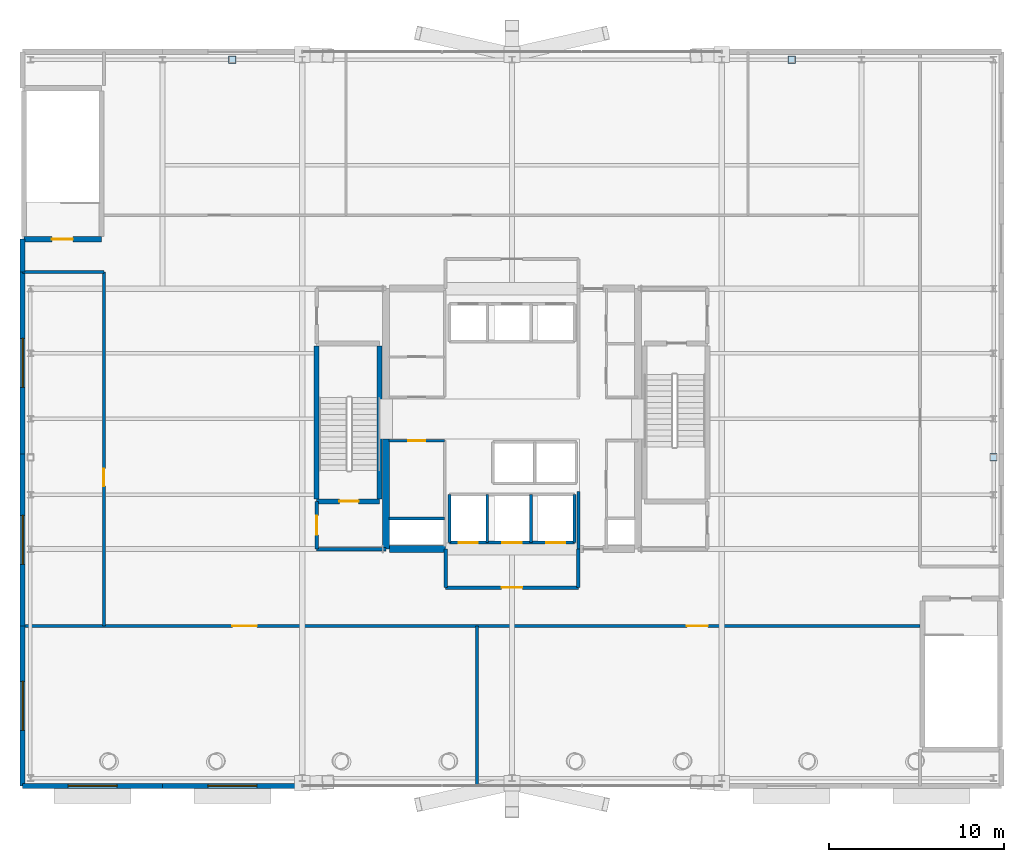
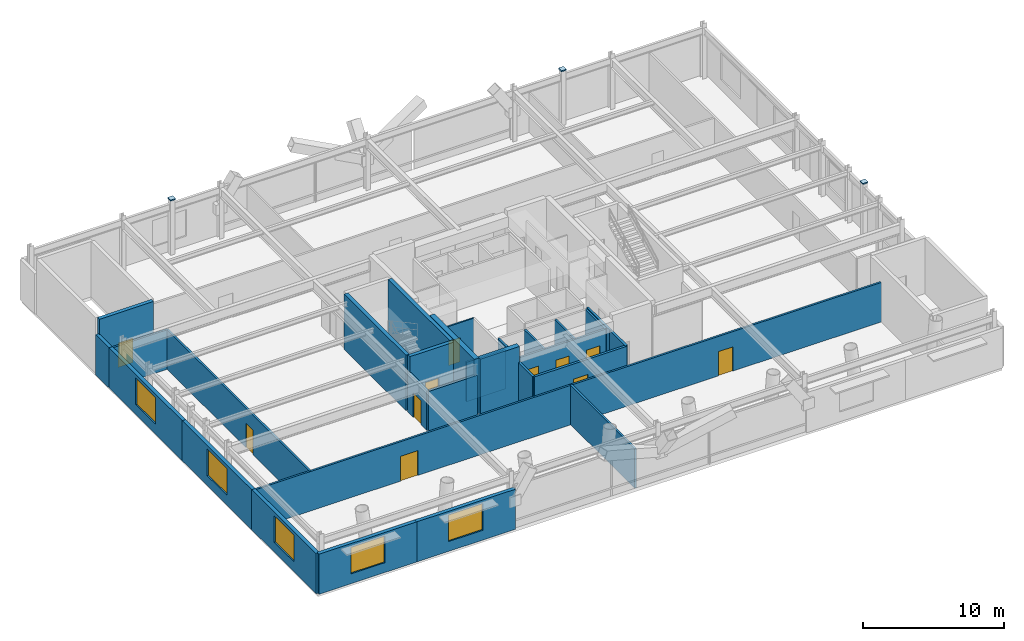
# One storey, part 15 of 21: 29 walls, 11 doors, 5 windows, 3 plates, 16 openings.
"""IFC4 building model written with IfcOpenShell, lengths in metres."""

from ifc_helpers import new_model, si_unit, direction, frame, frame_2d, origin, origin_2d, place, context, subcontext, project, spatial, rectangle, extrude, material, layer, layer_set, type_object, element, fill, save


model = new_model("IFC4")

# Units and contexts
model_context = context("Model", 3, precision=1e-05, world=origin(), true_north=direction((0.0, 1.0)))
body_context = subcontext(model_context, "Body", "Model", "MODEL_VIEW")
ifc_project = project(units=[si_unit("LENGTHUNIT", "METRE"), si_unit("AREAUNIT", "SQUARE_METRE"), si_unit("VOLUMEUNIT", "CUBIC_METRE"), si_unit("PLANEANGLEUNIT", "RADIAN"), si_unit("MASSUNIT", "GRAM", prefix="KILO")], contexts=[model_context])

# Site, building, storey
site_placement = place(None, origin())
site = spatial("IfcSite", under=ifc_project, at=site_placement, CompositionType="ELEMENT")
building_placement = place(site_placement, origin())
building = spatial("IfcBuilding", under=site, at=building_placement, Name="Veldorina Hangang Commons", CompositionType="ELEMENT")
storey_placement = place(building_placement, frame((0.0, 0.0, 19.60009765625)))
storey = spatial("IfcBuildingStorey", under=building, at=storey_placement, Name="L04", CompositionType="ELEMENT", Elevation=19.60009765625)

# Plates
ifc_material_1 = material(Name="Steel SM490-TMC", Category="steel")
ifc_layer_1 = layer(ifc_material_1, 0.044921875)
ifc_layer_set_1 = layer_set([ifc_layer_1], Name="Steel SM490-TMC")
plate_type = type_object("IfcPlateType", Name="PL-NODE-45", PredefinedType="SHEET", material=ifc_layer_set_1)
for number, where, z_axis, x_axis, name in (
    (1, (16.0, 44.550048828125, 4.7099609375), (0.0, 0.0, 1.0), (1.0, 0.0, 0.0), "L04 pilaster 1 cap plate"),
    (2, (48.0, 44.550048828125, 4.7099609375), (0.0, 0.0, 1.0), (1.0, 0.0, 0.0), "L04 pilaster 2 cap plate"),
    (3, (59.550048828125, 21.800048828125, 4.7099609375), (0.0, 0.0, 1.0), (1.0, 0.0, 0.0), "L04 pilaster 4 cap plate"),
):
    element("IfcPlate", number, at=place(storey_placement, frame(where, z_axis=z_axis, x_axis=x_axis)), inside=storey, type_object=plate_type, Name=name, PredefinedType="SHEET", context=body_context, shape_type="SweptSolid", body=[
        extrude(rectangle(XDim=0.419921875, YDim=0.419921875, at=origin_2d()), origin(), (0.0, 0.0, 1.0), 0.10009765625),
    ])

# Walls
ifc_material_2 = material(Name="Concrete C70/85", Category="concrete")
ifc_layer_2 = layer(ifc_material_2, 0.39990234375)
ifc_layer_set_2 = layer_set([ifc_layer_2], Name="Concrete C70/85")
wall_type_1 = type_object("IfcWallType", Name="CW-RC400-C70", PredefinedType="SHEAR", material=ifc_layer_set_2)
wall_1_placement = place(storey_placement, frame((24.800048828125, 16.550048828125, 0.0), z_axis=(0.0, 0.0, 1.0), x_axis=(0.0, 1.0, 0.0)))
element("IfcWall", 4, at=wall_1_placement, inside=storey, type_object=wall_type_1, Name="L04 W south core shear wall", PredefinedType="SHEAR", context=body_context, shape_type="SweptSolid", body=[
    extrude(rectangle(XDim=6.300048828125, YDim=0.39990234375, at=frame_2d((3.14990234375, 0.0))), origin(), (0.0, 0.0, 1.0), 4.7998046875),
])
wall_2_placement = place(storey_placement, frame((25.0, 16.550048828125, 0.0), z_axis=(0.0, 0.0, 1.0), x_axis=(1.0, 0.0, 0.0)))
element("IfcWall", 5, at=wall_2_placement, inside=storey, type_object=wall_type_1, Name="L04 south-west core shear wall", PredefinedType="SHEAR", context=body_context, shape_type="SweptSolid", body=[
    extrude(rectangle(XDim=3.199951171875, YDim=0.39990234375, at=frame_2d((1.60009765625, 0.0))), origin(), (0.0, 0.0, 1.0), 4.7998046875),
])

# Wall, opening, window
ifc_material_3 = material(Name="Stone Roman Travertine", Category="masonry")
ifc_layer_3 = layer(ifc_material_3, 0.300048828125)
ifc_layer_set_3 = layer_set([ifc_layer_3], Name="Stone Roman Travertine")
wall_type_2 = type_object("IfcWallType", Name="EW-TRAV-300", PredefinedType="STANDARD", material=ifc_layer_set_3)
wall_3_placement = place(storey_placement, frame((4.0, 3.0, 0.0), z_axis=(0.0, 0.0, 1.0), x_axis=(1.0, 0.0, 0.0)))
wall_3 = element("IfcWall", 6, at=wall_3_placement, inside=storey, type_object=wall_type_2, Name="L04 south podium stone wall S1", PredefinedType="STANDARD", context=body_context, shape_type="SweptSolid", body=[
    extrude(rectangle(XDim=8.0, YDim=0.300048828125, at=frame_2d((4.0, 0.0))), origin(), (0.0, 0.0, 1.0), 3.469970703125),
])
opening_1_placement = place(wall_3_placement, frame((2.60009765625, 0.0, 0.85009765625)))
opening_1 = element("IfcOpeningElement", 7, at=opening_1_placement, cuts=wall_3, Name="Opening W-06", PredefinedType="OPENING", context=body_context, shape_type="SweptSolid", body=[
    extrude(rectangle(XDim=2.800048828125, YDim=2.300048828125, at=frame_2d((1.39990234375, 1.14990234375))), frame((0.0, 0.16015625, 0.0), z_axis=(0.0, -1.0, 0.0), x_axis=(1.0, 0.0, 0.0)), (0.0, 0.0, 1.0), 0.320068359375),
])
ifc_material_4 = material(Name="Glass Acoustic Laminated", Category="glass")
window_type = type_object("IfcWindowType", Name="WIN-POD-2800", PartitioningType="SINGLE_PANEL", PredefinedType="WINDOW", material=ifc_material_4)
window_1_placement = place(opening_1_placement, origin())
window_1 = element("IfcWindow", 8, at=window_1_placement, inside=storey, type_object=window_type, Name="L04 south podium window S1", OverallHeight=2.300048828125, OverallWidth=2.800048828125, PartitioningType="SINGLE_PANEL", PredefinedType="WINDOW", context=body_context, shape_type="SweptSolid", body=[
    extrude(rectangle(XDim=2.800048828125, YDim=2.300048828125, at=frame_2d((1.39990234375, 1.14990234375))), frame((0.0, 0.030029296875, 0.0), z_axis=(0.0, -1.0, 0.0), x_axis=(1.0, 0.0, 0.0)), (0.0, 0.0, 1.0), 0.06005859375),
])
fill(opening_1, window_1)

wall_4_placement = place(storey_placement, frame((12.0, 3.0, 0.0), z_axis=(0.0, 0.0, 1.0), x_axis=(1.0, 0.0, 0.0)))
wall_4 = element("IfcWall", 9, at=wall_4_placement, inside=storey, type_object=wall_type_2, Name="L04 south podium stone wall S2", PredefinedType="STANDARD", context=body_context, shape_type="SweptSolid", body=[
    extrude(rectangle(XDim=8.094970703125, YDim=0.300048828125, at=frame_2d((4.04736328125, 0.0))), origin(), (0.0, 0.0, 1.0), 3.469970703125),
])
opening_2_placement = place(wall_4_placement, frame((2.60009765625, 0.0, 0.85009765625)))
opening_2 = element("IfcOpeningElement", 10, at=opening_2_placement, cuts=wall_4, Name="Opening W-06", PredefinedType="OPENING", context=body_context, shape_type="SweptSolid", body=[
    extrude(rectangle(XDim=2.800048828125, YDim=2.300048828125, at=frame_2d((1.39990234375, 1.14990234375))), frame((0.0, 0.16015625, 0.0), z_axis=(0.0, -1.0, 0.0), x_axis=(1.0, 0.0, 0.0)), (0.0, 0.0, 1.0), 0.320068359375),
])
window_2_placement = place(opening_2_placement, origin())
window_2 = element("IfcWindow", 11, at=window_2_placement, inside=storey, type_object=window_type, Name="L04 south podium window S2", OverallHeight=2.300048828125, OverallWidth=2.800048828125, PartitioningType="SINGLE_PANEL", PredefinedType="WINDOW", context=body_context, shape_type="SweptSolid", body=[
    extrude(rectangle(XDim=2.800048828125, YDim=2.300048828125, at=frame_2d((1.39990234375, 1.14990234375))), frame((0.0, 0.030029296875, 0.0), z_axis=(0.0, -1.0, 0.0), x_axis=(1.0, 0.0, 0.0)), (0.0, 0.0, 1.0), 0.06005859375),
])
fill(opening_2, window_2)

wall_5_placement = place(storey_placement, frame((4.0, 12.14990234375, 0.0), z_axis=(0.0, 0.0, 1.0), x_axis=(0.0, -1.0, 0.0)))
wall_5 = element("IfcWall", 12, at=wall_5_placement, inside=storey, type_object=wall_type_2, Name="L04 west podium stone wall W1", PredefinedType="STANDARD", context=body_context, shape_type="SweptSolid", body=[
    extrude(rectangle(XDim=9.14990234375, YDim=0.300048828125, at=frame_2d((4.574951171875, 0.0))), origin(), (0.0, 0.0, 1.0), 3.469970703125),
])
opening_3_placement = place(wall_5_placement, frame((3.175048828125, 0.0, 0.85009765625)))
opening_3 = element("IfcOpeningElement", 13, at=opening_3_placement, cuts=wall_5, Name="Opening W-06", PredefinedType="OPENING", context=body_context, shape_type="SweptSolid", body=[
    extrude(rectangle(XDim=2.800048828125, YDim=2.300048828125, at=frame_2d((1.39990234375, 1.14990234375))), frame((0.0, 0.16015625, 0.0), z_axis=(0.0, -1.0, 0.0), x_axis=(1.0, 0.0, 0.0)), (0.0, 0.0, 1.0), 0.320068359375),
])
window_3_placement = place(opening_3_placement, origin())
window_3 = element("IfcWindow", 14, at=window_3_placement, inside=storey, type_object=window_type, Name="L04 west podium window W1", OverallHeight=2.300048828125, OverallWidth=2.800048828125, PartitioningType="SINGLE_PANEL", PredefinedType="WINDOW", context=body_context, shape_type="SweptSolid", body=[
    extrude(rectangle(XDim=2.800048828125, YDim=2.300048828125, at=frame_2d((1.39990234375, 1.14990234375))), frame((0.0, 0.030029296875, 0.0), z_axis=(0.0, -1.0, 0.0), x_axis=(1.0, 0.0, 0.0)), (0.0, 0.0, 1.0), 0.06005859375),
])
fill(opening_3, window_3)

wall_6_placement = place(storey_placement, frame((4.0, 22.0, 0.0), z_axis=(0.0, 0.0, 1.0), x_axis=(0.0, -1.0, 0.0)))
wall_6 = element("IfcWall", 15, at=wall_6_placement, inside=storey, type_object=wall_type_2, Name="L04 west podium stone wall W2", PredefinedType="STANDARD", context=body_context, shape_type="SweptSolid", body=[
    extrude(rectangle(XDim=9.85009765625, YDim=0.300048828125, at=frame_2d((4.925048828125, 0.0))), origin(), (0.0, 0.0, 1.0), 3.469970703125),
])
opening_4_placement = place(wall_6_placement, frame((3.52490234375, 0.0, 0.85009765625)))
opening_4 = element("IfcOpeningElement", 16, at=opening_4_placement, cuts=wall_6, Name="Opening W-06", PredefinedType="OPENING", context=body_context, shape_type="SweptSolid", body=[
    extrude(rectangle(XDim=2.800048828125, YDim=2.300048828125, at=frame_2d((1.39990234375, 1.14990234375))), frame((0.0, 0.16015625, 0.0), z_axis=(0.0, -1.0, 0.0), x_axis=(1.0, 0.0, 0.0)), (0.0, 0.0, 1.0), 0.320068359375),
])
window_4_placement = place(opening_4_placement, origin())
window_4 = element("IfcWindow", 17, at=window_4_placement, inside=storey, type_object=window_type, Name="L04 west podium window W2", OverallHeight=2.300048828125, OverallWidth=2.800048828125, PartitioningType="SINGLE_PANEL", PredefinedType="WINDOW", context=body_context, shape_type="SweptSolid", body=[
    extrude(rectangle(XDim=2.800048828125, YDim=2.300048828125, at=frame_2d((1.39990234375, 1.14990234375))), frame((0.0, 0.030029296875, 0.0), z_axis=(0.0, -1.0, 0.0), x_axis=(1.0, 0.0, 0.0)), (0.0, 0.0, 1.0), 0.06005859375),
])
fill(opening_4, window_4)

wall_7_placement = place(storey_placement, frame((4.0, 32.39990234375, 0.0), z_axis=(0.0, 0.0, 1.0), x_axis=(0.0, -1.0, 0.0)))
wall_7 = element("IfcWall", 18, at=wall_7_placement, inside=storey, type_object=wall_type_2, Name="L04 west podium stone wall W3", PredefinedType="STANDARD", context=body_context, shape_type="SweptSolid", body=[
    extrude(rectangle(XDim=10.39990234375, YDim=0.300048828125, at=frame_2d((5.199951171875, 0.0))), origin(), (0.0, 0.0, 1.0), 3.469970703125),
])
opening_5_placement = place(wall_7_placement, frame((3.800048828125, 0.0, 0.85009765625)))
opening_5 = element("IfcOpeningElement", 19, at=opening_5_placement, cuts=wall_7, Name="Opening W-06", PredefinedType="OPENING", context=body_context, shape_type="SweptSolid", body=[
    extrude(rectangle(XDim=2.800048828125, YDim=2.300048828125, at=frame_2d((1.39990234375, 1.14990234375))), frame((0.0, 0.16015625, 0.0), z_axis=(0.0, -1.0, 0.0), x_axis=(1.0, 0.0, 0.0)), (0.0, 0.0, 1.0), 0.320068359375),
])
window_5_placement = place(opening_5_placement, origin())
window_5 = element("IfcWindow", 20, at=window_5_placement, inside=storey, type_object=window_type, Name="L04 west podium window W3", OverallHeight=2.300048828125, OverallWidth=2.800048828125, PartitioningType="SINGLE_PANEL", PredefinedType="WINDOW", context=body_context, shape_type="SweptSolid", body=[
    extrude(rectangle(XDim=2.800048828125, YDim=2.300048828125, at=frame_2d((1.39990234375, 1.14990234375))), frame((0.0, 0.030029296875, 0.0), z_axis=(0.0, -1.0, 0.0), x_axis=(1.0, 0.0, 0.0)), (0.0, 0.0, 1.0), 0.06005859375),
])
fill(opening_5, window_5)

# Walls
wall_8_placement = place(storey_placement, frame((4.0, 34.280029296875, 0.0), z_axis=(0.0, 0.0, 1.0), x_axis=(0.0, -1.0, 0.0)))
element("IfcWall", 21, at=wall_8_placement, inside=storey, type_object=wall_type_2, Name="L04 west podium stone wall W4", PredefinedType="STANDARD", context=body_context, shape_type="SweptSolid", body=[
    extrude(rectangle(XDim=1.880126953125, YDim=0.300048828125, at=frame_2d((0.93994140625, 0.0))), origin(), (0.0, 0.0, 1.0), 3.469970703125),
])
ifc_material_5 = material(Name="Concrete C50/60", Category="concrete")
ifc_layer_4 = layer(ifc_material_5, 0.300048828125)
ifc_layer_set_4 = layer_set([ifc_layer_4], Name="Concrete C50/60")
wall_type_3 = type_object("IfcWallType", Name="SW-STAIR-300", PredefinedType="SHEAR", material=ifc_layer_set_4)
for number, where, z_axis, x_axis, name in (
    (22, (20.820068359375, 19.429931640625, 0.0), (0.0, 0.0, 1.0), (0.0, 1.0, 0.0), "L04 ST1 outer stair shear wall"),
    (23, (24.419921875, 19.429931640625, 0.0), (0.0, 0.0, 1.0), (0.0, 1.0, 0.0), "L04 ST1 inner stair shear wall"),
):
    element("IfcWall", number, at=place(storey_placement, frame(where, z_axis=z_axis, x_axis=x_axis)), inside=storey, type_object=wall_type_3, Name=name, PredefinedType="SHEAR", context=body_context, shape_type="SweptSolid", body=[
        extrude(rectangle(XDim=8.739990234375, YDim=0.300048828125, at=frame_2d((4.3701171875, 0.0))), origin(), (0.0, 0.0, 1.0), 4.7998046875),
    ])

# Wall, opening, door
wall_9_placement = place(storey_placement, frame((20.820068359375, 19.280029296875, 0.0), z_axis=(0.0, 0.0, 1.0), x_axis=(1.0, 0.0, 0.0)))
wall_9 = element("IfcWall", 24, at=wall_9_placement, inside=storey, type_object=wall_type_3, Name="L04 ST1 south stair shear wall", PredefinedType="SHEAR", context=body_context, shape_type="SweptSolid", body=[
    extrude(rectangle(XDim=3.599853515625, YDim=0.300048828125, at=frame_2d((1.7998046875, 0.0))), origin(), (0.0, 0.0, 1.0), 4.7998046875),
])
opening_6_placement = place(wall_9_placement, frame((1.300048828125, 0.0, 0.0)))
opening_6 = element("IfcOpeningElement", 25, at=opening_6_placement, cuts=wall_9, Name="Opening D-08", PredefinedType="OPENING", context=body_context, shape_type="SweptSolid", body=[
    extrude(rectangle(XDim=1.10009765625, YDim=2.10009765625, at=frame_2d((0.550048828125, 1.050048828125))), frame((0.0, 0.16015625, 0.0), z_axis=(0.0, -1.0, 0.0), x_axis=(1.0, 0.0, 0.0)), (0.0, 0.0, 1.0), 0.320068359375),
])
ifc_material_6 = material(Name="Steel Fire-Rated Smoke Seal", Category="steel")
door_type_1 = type_object("IfcDoorType", Name="DR-FIRE-1100", OperationType="SINGLE_SWING_RIGHT", PredefinedType="DOOR", material=ifc_material_6)
door_1_placement = place(opening_6_placement, origin())
door_1 = element("IfcDoor", 26, at=door_1_placement, inside=storey, type_object=door_type_1, Name="L04 Special Escape Stair ST-1 door", OperationType="SINGLE_SWING_LEFT", OverallHeight=2.10009765625, OverallWidth=1.10009765625, PredefinedType="DOOR", context=body_context, shape_type="SweptSolid", body=[
    extrude(rectangle(XDim=1.10009765625, YDim=2.10009765625, at=frame_2d((0.550048828125, 1.050048828125))), frame((0.0, 0.02490234375, 0.0), z_axis=(0.0, -1.0, 0.0), x_axis=(1.0, 0.0, 0.0)), (0.0, 0.0, 1.0), 0.050048828125),
])
fill(opening_6, door_1)

wall_10_placement = place(storey_placement, frame((4.080078125, 34.280029296875, 0.0), z_axis=(0.0, 0.0, 1.0), x_axis=(1.0, 0.0, 0.0)))
wall_10 = element("IfcWall", 27, at=wall_10_placement, inside=storey, type_object=wall_type_3, Name="L04 STP1 S stair shear wall", PredefinedType="SHEAR", context=body_context, shape_type="SweptSolid", body=[
    extrude(rectangle(XDim=4.43994140625, YDim=0.300048828125, at=frame_2d((2.219970703125, 0.0))), origin(), (0.0, 0.0, 1.0), 4.7998046875),
])
opening_7_placement = place(wall_10_placement, frame((1.60009765625, 0.0, 0.0)))
opening_7 = element("IfcOpeningElement", 28, at=opening_7_placement, cuts=wall_10, Name="Opening D-09", PredefinedType="OPENING", context=body_context, shape_type="SweptSolid", body=[
    extrude(rectangle(XDim=1.199951171875, YDim=2.10009765625, at=frame_2d((0.60009765625, 1.050048828125))), frame((0.0, 0.16015625, 0.0), z_axis=(0.0, -1.0, 0.0), x_axis=(1.0, 0.0, 0.0)), (0.0, 0.0, 1.0), 0.320068359375),
])
ifc_material_7 = material(Name="Steel Fire-Rated Corridor Door", Category="steel")
door_type_2 = type_object("IfcDoorType", Name="DR-FIRE-1200", OperationType="SINGLE_SWING_LEFT", PredefinedType="DOOR", material=ifc_material_7)
door_2_placement = place(opening_7_placement, origin())
door_2 = element("IfcDoor", 29, at=door_2_placement, inside=storey, type_object=door_type_2, Name="L04 Podium Stair ST-P1 door", OperationType="SINGLE_SWING_LEFT", OverallHeight=2.10009765625, OverallWidth=1.199951171875, PredefinedType="DOOR", context=body_context, shape_type="SweptSolid", body=[
    extrude(rectangle(XDim=1.199951171875, YDim=2.10009765625, at=frame_2d((0.60009765625, 1.050048828125))), frame((0.0, 0.02490234375, 0.0), z_axis=(0.0, -1.0, 0.0), x_axis=(1.0, 0.0, 0.0)), (0.0, 0.0, 1.0), 0.050048828125),
])
fill(opening_7, door_2)

# Wall
ifc_material_8 = material(Name="Gypsum Fire-Rated Twin Stud Wall", Category="gypsum")
ifc_layer_5 = layer(ifc_material_8, 0.159912109375)
ifc_layer_set_5 = layer_set([ifc_layer_5], Name="Gypsum Fire-Rated Twin Stud Wall")
wall_type_4 = type_object("IfcWallType", Name="WL-FIRE-160", PredefinedType="SOLIDWALL", material=ifc_layer_set_5)
wall_11_placement = place(storey_placement, frame((35.800048828125, 16.550048828125, 0.0), z_axis=(0.0, 0.0, 1.0), x_axis=(0.0, 1.0, 0.0)))
element("IfcWall", 30, at=wall_11_placement, inside=storey, type_object=wall_type_4, Name="L04 Lift passage SW wall 009", PredefinedType="SOLIDWALL", context=body_context, shape_type="SweptSolid", body=[
    extrude(rectangle(XDim=3.300048828125, YDim=0.159912109375, at=frame_2d((1.64990234375, 0.0))), origin(), (0.0, 0.0, 1.0), 3.419921875),
])

# Wall, openings, doors
wall_12_placement = place(storey_placement, frame((28.419921875, 16.919921875, 0.0), z_axis=(0.0, 0.0, 1.0), x_axis=(1.0, 0.0, 0.0)))
wall_12 = element("IfcWall", 31, at=wall_12_placement, inside=storey, type_object=wall_type_4, Name="L04 Emergency front shaft wall 026", PredefinedType="SOLIDWALL", context=body_context, shape_type="SweptSolid", body=[
    extrude(rectangle(XDim=7.16015625, YDim=0.159912109375, at=frame_2d((3.580078125, 0.0))), origin(), (0.0, 0.0, 1.0), 3.419921875),
])
opening_8_placement = place(wall_12_placement, frame((0.530029296875, 0.0, 0.0)))
opening_8 = element("IfcOpeningElement", 32, at=opening_8_placement, cuts=wall_12, Name="Opening LD-03", PredefinedType="OPENING", context=body_context, shape_type="SweptSolid", body=[
    extrude(rectangle(XDim=1.10009765625, YDim=2.14990234375, at=frame_2d((0.550048828125, 1.074951171875))), frame((0.0, 0.08984375, 0.0), z_axis=(0.0, -1.0, 0.0), x_axis=(1.0, 0.0, 0.0)), (0.0, 0.0, 1.0), 0.179931640625),
])
opening_9_placement = place(wall_12_placement, frame((3.030029296875, 0.0, 0.0)))
opening_9 = element("IfcOpeningElement", 33, at=opening_9_placement, cuts=wall_12, Name="Opening LD-03", PredefinedType="OPENING", context=body_context, shape_type="SweptSolid", body=[
    extrude(rectangle(XDim=1.10009765625, YDim=2.14990234375, at=frame_2d((0.550048828125, 1.074951171875))), frame((0.0, 0.08984375, 0.0), z_axis=(0.0, -1.0, 0.0), x_axis=(1.0, 0.0, 0.0)), (0.0, 0.0, 1.0), 0.179931640625),
])
opening_10_placement = place(wall_12_placement, frame((5.530029296875, 0.0, 0.0)))
opening_10 = element("IfcOpeningElement", 34, at=opening_10_placement, cuts=wall_12, Name="Opening LD-03", PredefinedType="OPENING", context=body_context, shape_type="SweptSolid", body=[
    extrude(rectangle(XDim=1.10009765625, YDim=2.14990234375, at=frame_2d((0.550048828125, 1.074951171875))), frame((0.0, 0.08984375, 0.0), z_axis=(0.0, -1.0, 0.0), x_axis=(1.0, 0.0, 0.0)), (0.0, 0.0, 1.0), 0.179931640625),
])
ifc_material_9 = material(Name="Stainless Steel Firefighting Lift Door", Category="steel")
door_type_3 = type_object("IfcDoorType", Name="DR-LIFT-FF1100", OperationType="SLIDING_TO_RIGHT", PredefinedType="DOOR", material=ifc_material_9)
door_3_placement = place(opening_8_placement, origin())
door_3 = element("IfcDoor", 35, at=door_3_placement, inside=storey, type_object=door_type_3, Name="L04 Emergency lift FFL-1 landing door 009", OperationType="SLIDING_TO_RIGHT", OverallHeight=2.14990234375, OverallWidth=1.10009765625, PredefinedType="DOOR", context=body_context, shape_type="SweptSolid", body=[
    extrude(rectangle(XDim=1.10009765625, YDim=2.14990234375, at=frame_2d((0.550048828125, 1.074951171875))), frame((0.0, 0.02490234375, 0.0), z_axis=(0.0, -1.0, 0.0), x_axis=(1.0, 0.0, 0.0)), (0.0, 0.0, 1.0), 0.050048828125),
])
fill(opening_8, door_3)
door_4_placement = place(opening_9_placement, origin())
door_4 = element("IfcDoor", 36, at=door_4_placement, inside=storey, type_object=door_type_3, Name="L04 Emergency lift FFL-2 landing door 010", OperationType="SLIDING_TO_RIGHT", OverallHeight=2.14990234375, OverallWidth=1.10009765625, PredefinedType="DOOR", context=body_context, shape_type="SweptSolid", body=[
    extrude(rectangle(XDim=1.10009765625, YDim=2.14990234375, at=frame_2d((0.550048828125, 1.074951171875))), frame((0.0, 0.02490234375, 0.0), z_axis=(0.0, -1.0, 0.0), x_axis=(1.0, 0.0, 0.0)), (0.0, 0.0, 1.0), 0.050048828125),
])
fill(opening_9, door_4)
door_5_placement = place(opening_10_placement, origin())
door_5 = element("IfcDoor", 37, at=door_5_placement, inside=storey, type_object=door_type_3, Name="L04 Emergency lift EVL-1 landing door 011", OperationType="SLIDING_TO_RIGHT", OverallHeight=2.14990234375, OverallWidth=1.10009765625, PredefinedType="DOOR", context=body_context, shape_type="SweptSolid", body=[
    extrude(rectangle(XDim=1.10009765625, YDim=2.14990234375, at=frame_2d((0.550048828125, 1.074951171875))), frame((0.0, 0.02490234375, 0.0), z_axis=(0.0, -1.0, 0.0), x_axis=(1.0, 0.0, 0.0)), (0.0, 0.0, 1.0), 0.050048828125),
])
fill(opening_10, door_5)

# Walls
for number, where, z_axis, x_axis, name in (
    (38, (28.419921875, 16.919921875, 0.0), (0.0, 0.0, 1.0), (0.0, 1.0, 0.0), "L04 FFL-1 west shaft wall 028"),
    (39, (30.580078125, 16.919921875, 0.0), (0.0, 0.0, 1.0), (0.0, 1.0, 0.0), "L04 FFL-1 east shaft wall 029"),
    (40, (33.080078125, 16.919921875, 0.0), (0.0, 0.0, 1.0), (0.0, 1.0, 0.0), "L04 FFL-2 east shaft wall 030"),
    (41, (35.580078125, 16.919921875, 0.0), (0.0, 0.0, 1.0), (0.0, 1.0, 0.0), "L04 EVL-1 east shaft wall 031"),
):
    element("IfcWall", number, at=place(storey_placement, frame(where, z_axis=z_axis, x_axis=x_axis)), inside=storey, type_object=wall_type_4, Name=name, PredefinedType="SOLIDWALL", context=body_context, shape_type="SweptSolid", body=[
        extrude(rectangle(XDim=2.760009765625, YDim=0.159912109375, at=frame_2d((1.3798828125, 0.0))), origin(), (0.0, 0.0, 1.0), 3.419921875),
    ])
wall_13_placement = place(storey_placement, frame((24.949951171875, 18.300048828125, 0.0), z_axis=(0.0, 0.0, 1.0), x_axis=(1.0, 0.0, 0.0)))
element("IfcWall", 42, at=wall_13_placement, inside=storey, type_object=wall_type_4, Name="L04 Electrical riser wall 035", PredefinedType="SOLIDWALL", context=body_context, shape_type="SweptSolid", body=[
    extrude(rectangle(XDim=3.199951171875, YDim=0.159912109375, at=frame_2d((1.60009765625, 0.0))), origin(), (0.0, 0.0, 1.0), 3.419921875),
])

# Wall, openings, doors
wall_14_placement = place(storey_placement, frame((4.0, 12.14990234375, 0.0), z_axis=(0.0, 0.0, 1.0), x_axis=(1.0, 0.0, 0.0)))
wall_14 = element("IfcWall", 43, at=wall_14_placement, inside=storey, type_object=wall_type_4, Name="L04 L04 gallery south wall 048", PredefinedType="SOLIDWALL", context=body_context, shape_type="SweptSolid", body=[
    extrude(rectangle(XDim=51.35009765625, YDim=0.159912109375, at=frame_2d((25.675048828125, 0.0))), origin(), (0.0, 0.0, 1.0), 3.419921875),
])
opening_11_placement = place(wall_14_placement, frame((12.0, 0.0, 0.0)))
opening_11 = element("IfcOpeningElement", 44, at=opening_11_placement, cuts=wall_14, Name="Opening D-11", PredefinedType="OPENING", context=body_context, shape_type="SweptSolid", body=[
    extrude(rectangle(XDim=1.39990234375, YDim=2.14990234375, at=frame_2d((0.699951171875, 1.074951171875))), frame((0.0, 0.08984375, 0.0), z_axis=(0.0, -1.0, 0.0), x_axis=(1.0, 0.0, 0.0)), (0.0, 0.0, 1.0), 0.179931640625),
])
opening_12_placement = place(wall_14_placement, frame((38.0, 0.0, 0.0)))
opening_12 = element("IfcOpeningElement", 45, at=opening_12_placement, cuts=wall_14, Name="Opening D-09", PredefinedType="OPENING", context=body_context, shape_type="SweptSolid", body=[
    extrude(rectangle(XDim=1.199951171875, YDim=2.10009765625, at=frame_2d((0.60009765625, 1.050048828125))), frame((0.0, 0.08984375, 0.0), z_axis=(0.0, -1.0, 0.0), x_axis=(1.0, 0.0, 0.0)), (0.0, 0.0, 1.0), 0.179931640625),
])
door_6_placement = place(opening_12_placement, origin())
door_6 = element("IfcDoor", 46, at=door_6_placement, inside=storey, type_object=door_type_2, Name="L04 Book stacks door 020", OperationType="SINGLE_SWING_RIGHT", OverallHeight=2.10009765625, OverallWidth=1.199951171875, PredefinedType="DOOR", context=body_context, shape_type="SweptSolid", body=[
    extrude(rectangle(XDim=1.199951171875, YDim=2.10009765625, at=frame_2d((0.60009765625, 1.050048828125))), frame((0.0, 0.02490234375, 0.0), z_axis=(0.0, -1.0, 0.0), x_axis=(1.0, 0.0, 0.0)), (0.0, 0.0, 1.0), 0.050048828125),
])
fill(opening_12, door_6)
ifc_material_10 = material(Name="Steel Glazed Fire Assembly Door", Category="steel")
door_type_4 = type_object("IfcDoorType", Name="DR-FIRE-1400", OperationType="DOUBLE_SWING_LEFT", PredefinedType="DOOR", material=ifc_material_10)
door_7_placement = place(opening_11_placement, origin())
door_7 = element("IfcDoor", 47, at=door_7_placement, inside=storey, type_object=door_type_4, Name="L04 Library reading hall door 019", OperationType="SINGLE_SWING_LEFT", OverallHeight=2.14990234375, OverallWidth=1.39990234375, PredefinedType="DOOR", context=body_context, shape_type="SweptSolid", body=[
    extrude(rectangle(XDim=1.39990234375, YDim=2.14990234375, at=frame_2d((0.699951171875, 1.074951171875))), frame((0.0, 0.02490234375, 0.0), z_axis=(0.0, -1.0, 0.0), x_axis=(1.0, 0.0, 0.0)), (0.0, 0.0, 1.0), 0.050048828125),
])
fill(opening_11, door_7)

# Wall, opening, door
wall_15_placement = place(storey_placement, frame((8.64990234375, 12.14990234375, 0.0), z_axis=(0.0, 0.0, 1.0), x_axis=(0.0, 1.0, 0.0)))
wall_15 = element("IfcWall", 48, at=wall_15_placement, inside=storey, type_object=wall_type_4, Name="L04 L04 gallery west wall 049", PredefinedType="SOLIDWALL", context=body_context, shape_type="SweptSolid", body=[
    extrude(rectangle(XDim=20.25, YDim=0.159912109375, at=frame_2d((10.125, 0.0))), origin(), (0.0, 0.0, 1.0), 3.419921875),
])
opening_13_placement = place(wall_15_placement, frame((8.0, 0.0, 0.0)))
opening_13 = element("IfcOpeningElement", 49, at=opening_13_placement, cuts=wall_15, Name="Opening D-05", PredefinedType="OPENING", context=body_context, shape_type="SweptSolid", body=[
    extrude(rectangle(XDim=1.0, YDim=2.10009765625, at=frame_2d((0.5, 1.050048828125))), frame((0.0, 0.08984375, 0.0), z_axis=(0.0, -1.0, 0.0), x_axis=(1.0, 0.0, 0.0)), (0.0, 0.0, 1.0), 0.179931640625),
])
ifc_material_11 = material(Name="Timber Solid Core Acoustic", Category="wood")
door_type_5 = type_object("IfcDoorType", Name="DR-INT-1000", OperationType="SINGLE_SWING_RIGHT", PredefinedType="DOOR", material=ifc_material_11)
door_8_placement = place(opening_13_placement, origin())
door_8 = element("IfcDoor", 50, at=door_8_placement, inside=storey, type_object=door_type_5, Name="L04 West study suite door 024", OperationType="SINGLE_SWING_RIGHT", OverallHeight=2.10009765625, OverallWidth=1.0, PredefinedType="DOOR", context=body_context, shape_type="SweptSolid", body=[
    extrude(rectangle(XDim=1.0, YDim=2.10009765625, at=frame_2d((0.5, 1.050048828125))), frame((0.0, 0.02490234375, 0.0), z_axis=(0.0, -1.0, 0.0), x_axis=(1.0, 0.0, 0.0)), (0.0, 0.0, 1.0), 0.050048828125),
])
fill(opening_13, door_8)

# Walls
wall_16_placement = place(storey_placement, frame((4.0, 32.39990234375, 0.0), z_axis=(0.0, 0.0, 1.0), x_axis=(1.0, 0.0, 0.0)))
element("IfcWall", 51, at=wall_16_placement, inside=storey, type_object=wall_type_4, Name="L04 L04 west room north wall 050", PredefinedType="SOLIDWALL", context=body_context, shape_type="SweptSolid", body=[
    extrude(rectangle(XDim=4.64990234375, YDim=0.159912109375, at=frame_2d((2.324951171875, 0.0))), origin(), (0.0, 0.0, 1.0), 3.419921875),
])
wall_17_placement = place(storey_placement, frame((30.0, 3.0, 0.0), z_axis=(0.0, 0.0, 1.0), x_axis=(0.0, 1.0, 0.0)))
element("IfcWall", 52, at=wall_17_placement, inside=storey, type_object=wall_type_4, Name="L04 Library-stacks wall 054", PredefinedType="SOLIDWALL", context=body_context, shape_type="SweptSolid", body=[
    extrude(rectangle(XDim=9.14990234375, YDim=0.159912109375, at=frame_2d((4.574951171875, 0.0))), origin(), (0.0, 0.0, 1.0), 3.419921875),
])

# Wall, opening, door
ifc_material_12 = material(Name="Concrete Blockwork Fire Wall C30/37", Category="masonry")
ifc_layer_6 = layer(ifc_material_12, 0.199951171875)
ifc_layer_set_6 = layer_set([ifc_layer_6], Name="Concrete Blockwork Fire Wall C30/37")
wall_type_5 = type_object("IfcWallType", Name="WL-FIRE-200", PredefinedType="SOLIDWALL", material=ifc_layer_set_6)
wall_18_placement = place(storey_placement, frame((20.820068359375, 16.550048828125, 0.0), z_axis=(0.0, 0.0, 1.0), x_axis=(0.0, 1.0, 0.0)))
wall_18 = element("IfcWall", 53, at=wall_18_placement, inside=storey, type_object=wall_type_5, Name="L04 West vestibule outer wall 001", PredefinedType="SOLIDWALL", context=body_context, shape_type="SweptSolid", body=[
    extrude(rectangle(XDim=2.72998046875, YDim=0.199951171875, at=frame_2d((1.364990234375, 0.0))), origin(), (0.0, 0.0, 1.0), 3.419921875),
])
opening_14_placement = place(wall_18_placement, frame((0.81494140625, 0.0, 0.0)))
opening_14 = element("IfcOpeningElement", 54, at=opening_14_placement, cuts=wall_18, Name="Opening D-08", PredefinedType="OPENING", context=body_context, shape_type="SweptSolid", body=[
    extrude(rectangle(XDim=1.10009765625, YDim=2.10009765625, at=frame_2d((0.550048828125, 1.050048828125))), frame((0.0, 0.10986328125, 0.0), z_axis=(0.0, -1.0, 0.0), x_axis=(1.0, 0.0, 0.0)), (0.0, 0.0, 1.0), 0.219970703125),
])
door_9_placement = place(opening_14_placement, origin())
door_9 = element("IfcDoor", 55, at=door_9_placement, inside=storey, type_object=door_type_1, Name="L04 West vestibule west door 001", OperationType="SINGLE_SWING_LEFT", OverallHeight=2.10009765625, OverallWidth=1.10009765625, PredefinedType="DOOR", context=body_context, shape_type="SweptSolid", body=[
    extrude(rectangle(XDim=1.10009765625, YDim=2.10009765625, at=frame_2d((0.550048828125, 1.050048828125))), frame((0.0, 0.02490234375, 0.0), z_axis=(0.0, -1.0, 0.0), x_axis=(1.0, 0.0, 0.0)), (0.0, 0.0, 1.0), 0.050048828125),
])
fill(opening_14, door_9)

# Walls
wall_19_placement = place(storey_placement, frame((20.820068359375, 16.550048828125, 0.0), z_axis=(0.0, 0.0, 1.0), x_axis=(1.0, 0.0, 0.0)))
element("IfcWall", 56, at=wall_19_placement, inside=storey, type_object=wall_type_5, Name="L04 West vestibule south wall 002", PredefinedType="SOLIDWALL", context=body_context, shape_type="SweptSolid", body=[
    extrude(rectangle(XDim=3.97998046875, YDim=0.199951171875, at=frame_2d((1.989990234375, 0.0))), origin(), (0.0, 0.0, 1.0), 3.419921875),
])
for number, where, z_axis, x_axis, name in (
    (57, (28.199951171875, 14.35009765625, 0.0), (0.0, 0.0, 1.0), (0.0, 1.0, 0.0), "L04 FF lobby west wall 012"),
    (58, (35.800048828125, 14.35009765625, 0.0), (0.0, 0.0, 1.0), (0.0, 1.0, 0.0), "L04 FF lobby east wall 013"),
):
    element("IfcWall", number, at=place(storey_placement, frame(where, z_axis=z_axis, x_axis=x_axis)), inside=storey, type_object=wall_type_5, Name=name, PredefinedType="SOLIDWALL", context=body_context, shape_type="SweptSolid", body=[
        extrude(rectangle(XDim=2.199951171875, YDim=0.199951171875, at=frame_2d((1.10009765625, 0.0))), origin(), (0.0, 0.0, 1.0), 3.419921875),
    ])

# Wall, opening, door
wall_20_placement = place(storey_placement, frame((28.199951171875, 14.35009765625, 0.0), z_axis=(0.0, 0.0, 1.0), x_axis=(1.0, 0.0, 0.0)))
wall_20 = element("IfcWall", 59, at=wall_20_placement, inside=storey, type_object=wall_type_5, Name="L04 FF lobby south wall 014", PredefinedType="SOLIDWALL", context=body_context, shape_type="SweptSolid", body=[
    extrude(rectangle(XDim=7.60009765625, YDim=0.199951171875, at=frame_2d((3.800048828125, 0.0))), origin(), (0.0, 0.0, 1.0), 3.419921875),
])
opening_15_placement = place(wall_20_placement, frame((3.199951171875, 0.0, 0.0)))
opening_15 = element("IfcOpeningElement", 60, at=opening_15_placement, cuts=wall_20, Name="Opening D-09", PredefinedType="OPENING", context=body_context, shape_type="SweptSolid", body=[
    extrude(rectangle(XDim=1.199951171875, YDim=2.10009765625, at=frame_2d((0.60009765625, 1.050048828125))), frame((0.0, 0.10986328125, 0.0), z_axis=(0.0, -1.0, 0.0), x_axis=(1.0, 0.0, 0.0)), (0.0, 0.0, 1.0), 0.219970703125),
])
door_10_placement = place(opening_15_placement, origin())
door_10 = element("IfcDoor", 61, at=door_10_placement, inside=storey, type_object=door_type_2, Name="L04 FF lobby south corridor door 005", OperationType="SINGLE_SWING_LEFT", OverallHeight=2.10009765625, OverallWidth=1.199951171875, PredefinedType="DOOR", context=body_context, shape_type="SweptSolid", body=[
    extrude(rectangle(XDim=1.199951171875, YDim=2.10009765625, at=frame_2d((0.60009765625, 1.050048828125))), frame((0.0, 0.02490234375, 0.0), z_axis=(0.0, -1.0, 0.0), x_axis=(1.0, 0.0, 0.0)), (0.0, 0.0, 1.0), 0.050048828125),
])
fill(opening_15, door_10)

ifc_material_13 = material(Name="Gypsum Acoustic Stud Partition", Category="gypsum")
ifc_layer_7 = layer(ifc_material_13, 0.1201171875)
ifc_layer_set_7 = layer_set([ifc_layer_7], Name="Gypsum Acoustic Stud Partition")
wall_type_6 = type_object("IfcWallType", Name="WL-PART-120", PredefinedType="PARTITIONING", material=ifc_layer_set_7)
wall_21_placement = place(storey_placement, frame((24.949951171875, 22.75, 0.0), z_axis=(0.0, 0.0, 1.0), x_axis=(1.0, 0.0, 0.0)))
wall_21 = element("IfcWall", 62, at=wall_21_placement, inside=storey, type_object=wall_type_6, Name="L04 SW service north wall 040", PredefinedType="PARTITIONING", context=body_context, shape_type="SweptSolid", body=[
    extrude(rectangle(XDim=3.199951171875, YDim=0.1201171875, at=frame_2d((1.60009765625, 0.0))), origin(), (0.0, 0.0, 1.0), 3.419921875),
])
opening_16_placement = place(wall_21_placement, frame((1.125, 0.0, 0.0)))
opening_16 = element("IfcOpeningElement", 63, at=opening_16_placement, cuts=wall_21, Name="Opening D-02", PredefinedType="OPENING", context=body_context, shape_type="SweptSolid", body=[
    extrude(rectangle(XDim=0.949951171875, YDim=2.10009765625, at=frame_2d((0.47509765625, 1.050048828125))), frame((0.0, 0.070068359375, 0.0), z_axis=(0.0, -1.0, 0.0), x_axis=(1.0, 0.0, 0.0)), (0.0, 0.0, 1.0), 0.14013671875),
])
door_type_6 = type_object("IfcDoorType", Name="DR-INT-950", OperationType="SINGLE_SWING_LEFT", PredefinedType="DOOR", material=ifc_material_11)
door_11_placement = place(opening_16_placement, origin())
door_11 = element("IfcDoor", 64, at=door_11_placement, inside=storey, type_object=door_type_6, Name="L04 Waste sorting door 015", OperationType="SINGLE_SWING_LEFT", OverallHeight=2.10009765625, OverallWidth=0.949951171875, PredefinedType="DOOR", context=body_context, shape_type="SweptSolid", body=[
    extrude(rectangle(XDim=0.949951171875, YDim=2.10009765625, at=frame_2d((0.47509765625, 1.050048828125))), frame((0.0, 0.02490234375, 0.0), z_axis=(0.0, -1.0, 0.0), x_axis=(1.0, 0.0, 0.0)), (0.0, 0.0, 1.0), 0.050048828125),
])
fill(opening_16, door_11)

save(model, "model.ifc")
